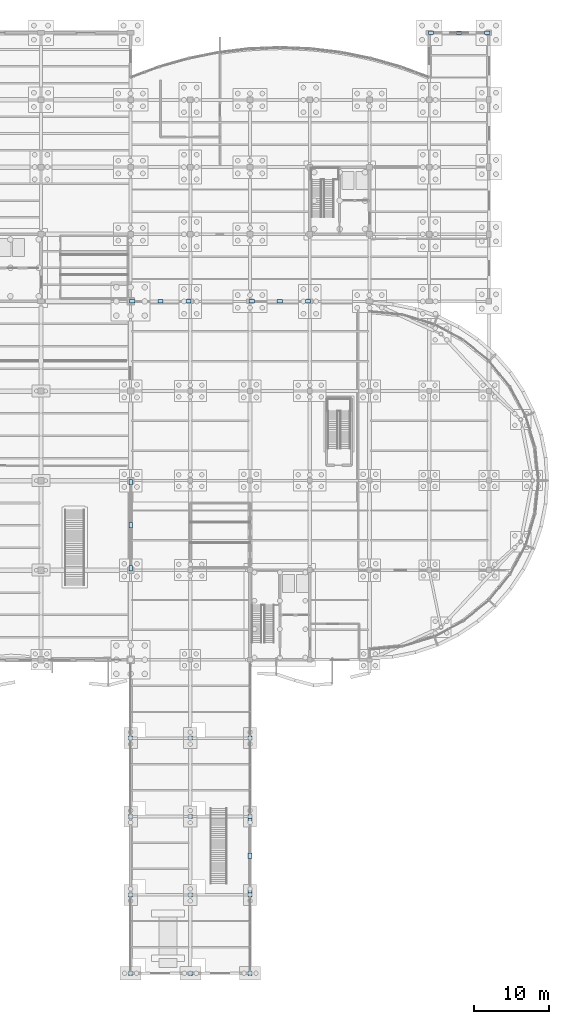
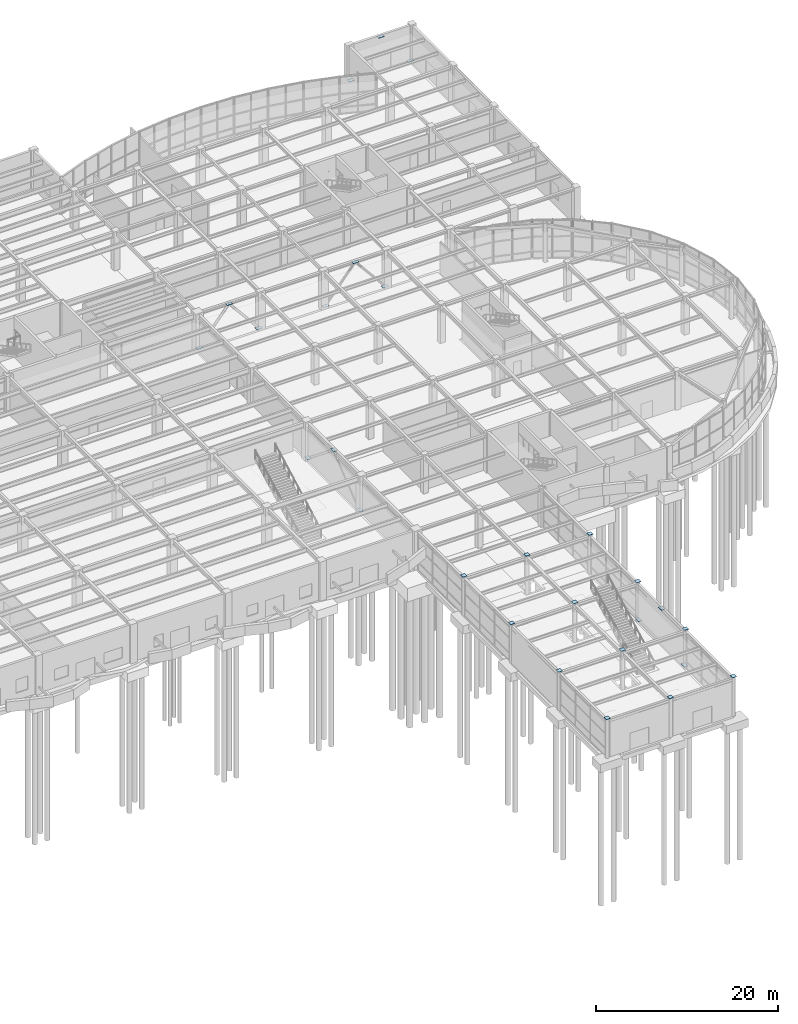
# One storey, part 61 of 85: 27 plates.
"""IFC4 building model written with IfcOpenShell, lengths in metres."""

from ifc_helpers import new_model, si_unit, direction, frame, origin, origin_2d, place, context, subcontext, project, spatial, rectangle, extrude, material, layer, layer_set, type_object, element, save


model = new_model("IFC4")

# Units and contexts
model_context = context("Model", 3, precision=1e-05, world=origin(), true_north=direction((0.0, 1.0)))
body_context = subcontext(model_context, "Body", "Model", "MODEL_VIEW")
ifc_project = project(units=[si_unit("LENGTHUNIT", "METRE"), si_unit("AREAUNIT", "SQUARE_METRE"), si_unit("VOLUMEUNIT", "CUBIC_METRE"), si_unit("PLANEANGLEUNIT", "RADIAN"), si_unit("MASSUNIT", "GRAM", prefix="KILO")], contexts=[model_context])

# Site, building, storey
site_placement = place(None, origin())
site = spatial("IfcSite", under=ifc_project, at=site_placement, CompositionType="ELEMENT")
building_placement = place(site_placement, origin())
building = spatial("IfcBuilding", under=site, at=building_placement, Name="Keelwater Ferry Terminal", CompositionType="ELEMENT")
storey_placement = place(building_placement, origin())
storey = spatial("IfcBuildingStorey", under=building, at=storey_placement, Name="L00", CompositionType="ELEMENT", Elevation=0.0)

# Plates
ifc_material_1 = material(Name="Steel S355", Category="steel")
ifc_layer_1 = layer(ifc_material_1, 0.030029296875)
ifc_layer_set_1 = layer_set([ifc_layer_1], Name="Steel S355")
plate_type_1 = type_object("IfcPlateType", Name="CP2 540x540x30", PredefinedType="USERDEFINED", material=ifc_layer_set_1)
for number, where, z_axis, x_axis, name in (
    (1, (132.0, 0.0, 5.23974609375), (0.0, 0.0, 1.0), (1.0, 0.0, 0.0), "Column Step Cap Plate 10"),
    (2, (132.0, 10.5, 5.23974609375), (0.0, 0.0, 1.0), (1.0, 0.0, 0.0), "Column Step Cap Plate 12"),
    (3, (132.0, 21.0, 5.23974609375), (0.0, 0.0, 1.0), (1.0, 0.0, 0.0), "Column Step Cap Plate 14"),
    (4, (132.0, 31.5, 5.23974609375), (0.0, 0.0, 1.0), (1.0, 0.0, 0.0), "Column Step Cap Plate 16"),
    (5, (140.0, 0.0, 5.23974609375), (0.0, 0.0, 1.0), (1.0, 0.0, 0.0), "Column Step Cap Plate 18"),
    (6, (140.0, 10.5, 5.23974609375), (0.0, 0.0, 1.0), (1.0, 0.0, 0.0), "Column Step Cap Plate 20"),
    (7, (140.0, 21.0, 5.23974609375), (0.0, 0.0, 1.0), (1.0, 0.0, 0.0), "Column Step Cap Plate 22"),
    (8, (140.0, 31.5, 5.23974609375), (0.0, 0.0, 1.0), (1.0, 0.0, 0.0), "Column Step Cap Plate 24"),
    (9, (148.0, 0.0, 5.23974609375), (0.0, 0.0, 1.0), (1.0, 0.0, 0.0), "Column Step Cap Plate 26"),
    (10, (148.0, 10.5, 5.23974609375), (0.0, 0.0, 1.0), (1.0, 0.0, 0.0), "Column Step Cap Plate 28"),
    (11, (148.0, 21.0, 5.23974609375), (0.0, 0.0, 1.0), (1.0, 0.0, 0.0), "Column Step Cap Plate 30"),
    (12, (148.0, 31.5, 5.23974609375), (0.0, 0.0, 1.0), (1.0, 0.0, 0.0), "Column Step Cap Plate 32"),
):
    element("IfcPlate", number, at=place(storey_placement, frame(where, z_axis=z_axis, x_axis=x_axis)), inside=storey, type_object=plate_type_1, Name=name, ObjectType="GUSSET PLATE", PredefinedType="USERDEFINED", context=body_context, shape_type="SweptSolid", body=[
        extrude(rectangle(XDim=0.5400390625, YDim=0.5400390625, at=origin_2d()), origin(), (0.0, 0.0, 1.0), 0.030029296875),
    ])
ifc_material_2 = material(Name="Steel S355", Category="steel")
ifc_layer_2 = layer(ifc_material_2, 0.02490234375)
ifc_layer_set_2 = layer_set([ifc_layer_2], Name="Steel S355")
plate_type_2 = type_object("IfcPlateType", Name="GP3 720x480x25", PredefinedType="USERDEFINED", material=ifc_layer_set_2)
for number, where, z_axis, x_axis, name in (
    (13, (132.0, 60.0, 4.797607421875), (0.0, 0.0, 1.0), (0.0, 1.0, 0.0), "Connection Gusset Plate 81"),
    (14, (132.0, 54.239990234375, 0.2275390625), (0.0, 0.0, 1.0), (0.0, 1.0, 0.0), "Connection Gusset Plate 82"),
    (15, (132.0, 65.760009765625, 0.2275390625), (0.0, 0.0, 1.0), (0.0, 1.0, 0.0), "Connection Gusset Plate 83"),
    (16, (152.0, 90.0, 4.797607421875), (0.0, 0.0, 1.0), (1.0, 0.0, 0.0), "Connection Gusset Plate 93"),
    (17, (148.239990234375, 90.0, 0.2275390625), (0.0, 0.0, 1.0), (1.0, 0.0, 0.0), "Connection Gusset Plate 94"),
    (18, (155.760009765625, 90.0, 0.2275390625), (0.0, 0.0, 1.0), (1.0, 0.0, 0.0), "Connection Gusset Plate 95"),
    (19, (136.0, 90.0, 4.797607421875), (0.0, 0.0, 1.0), (1.0, 0.0, 0.0), "Connection Gusset Plate 102"),
    (20, (132.239990234375, 90.0, 0.2275390625), (0.0, 0.0, 1.0), (1.0, 0.0, 0.0), "Connection Gusset Plate 103"),
    (21, (139.760009765625, 90.0, 0.2275390625), (0.0, 0.0, 1.0), (1.0, 0.0, 0.0), "Connection Gusset Plate 104"),
    (22, (176.0, 126.0, 4.797607421875), (0.0, 0.0, 1.0), (1.0, 0.0, 0.0), "Connection Gusset Plate 117"),
    (23, (172.239990234375, 126.0, 0.2275390625), (0.0, 0.0, 1.0), (1.0, 0.0, 0.0), "Connection Gusset Plate 118"),
    (24, (179.760009765625, 126.0, 0.2275390625), (0.0, 0.0, 1.0), (1.0, 0.0, 0.0), "Connection Gusset Plate 119"),
    (25, (148.0, 15.75, 4.797607421875), (0.0, 0.0, 1.0), (0.0, 1.0, 0.0), "Connection Gusset Plate 138"),
    (26, (148.0, 10.739990234375, 0.2275390625), (0.0, 0.0, 1.0), (0.0, 1.0, 0.0), "Connection Gusset Plate 139"),
    (27, (148.0, 20.760009765625, 0.2275390625), (0.0, 0.0, 1.0), (0.0, 1.0, 0.0), "Connection Gusset Plate 140"),
):
    element("IfcPlate", number, at=place(storey_placement, frame(where, z_axis=z_axis, x_axis=x_axis)), inside=storey, type_object=plate_type_2, Name=name, ObjectType="GUSSET PLATE", PredefinedType="USERDEFINED", context=body_context, shape_type="SweptSolid", body=[
        extrude(rectangle(XDim=0.719970703125, YDim=0.47998046875, at=origin_2d()), origin(), (0.0, 0.0, 1.0), 0.02490234375),
    ])

save(model, "model.ifc")
